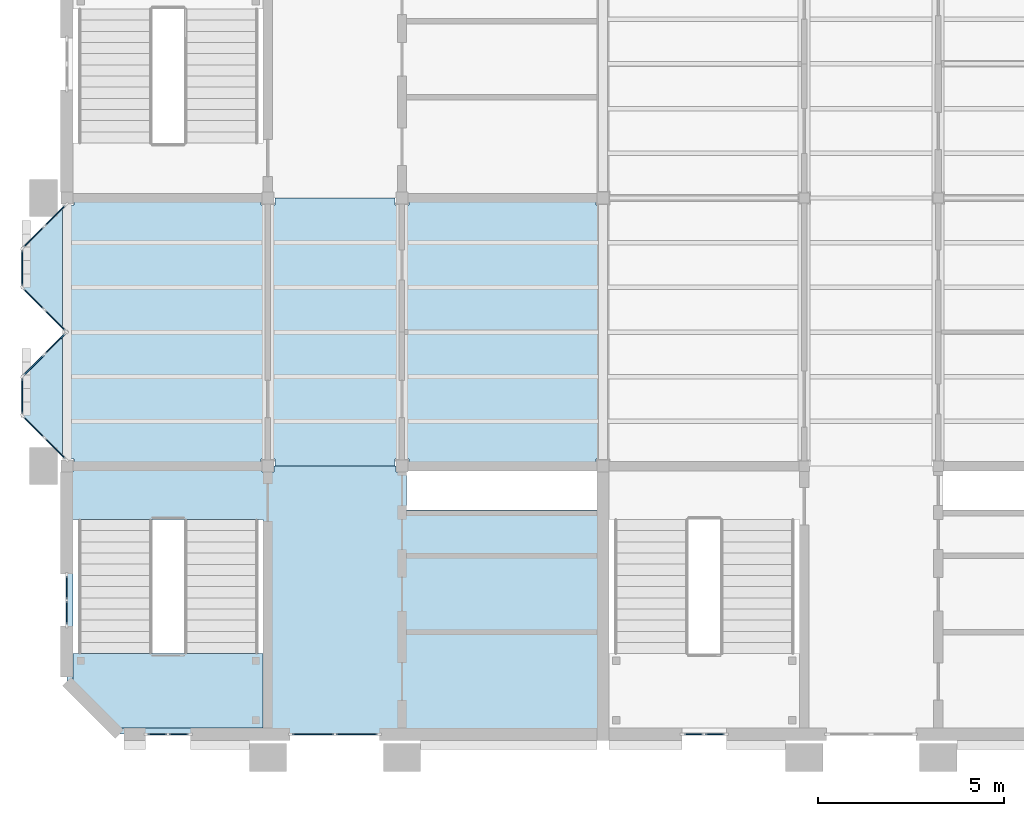
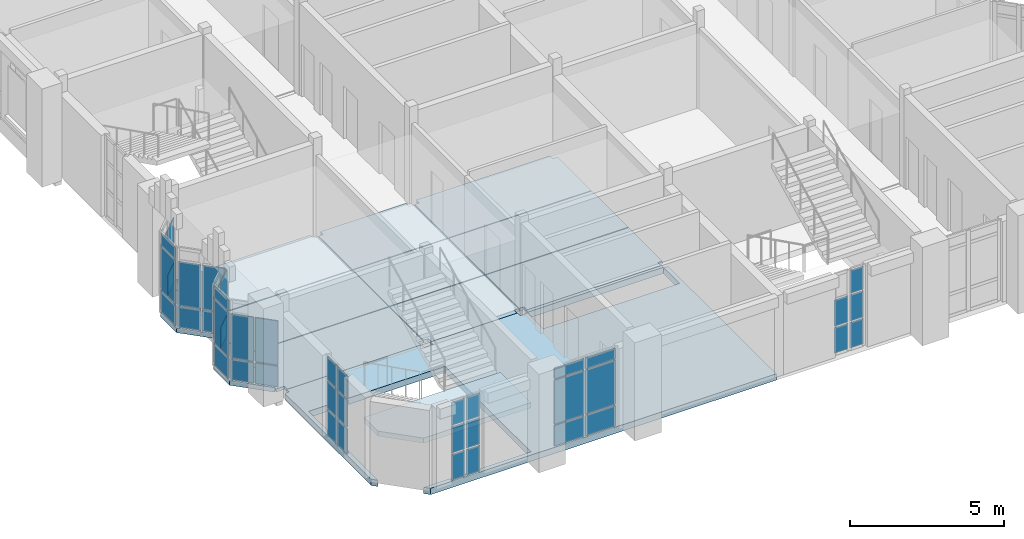
# One storey, part 26 of 71: 45 plates, 13 slabs, 11 elements without a shape of their own.
"""IFC4 building model written with IfcOpenShell, lengths in metres."""

import ifcopenshell
import ifcopenshell.guid

model = None  # the IFC model being written
_history = None  # IfcOwnerHistory: only IFC2X3 demands one
_inside = {}  # id of a spatial element -> (the spatial element, [elements in it])
_under = {}  # id of a project, library or spatial element -> (it, [spatial elements below it])
_declared = {}  # id of a project -> (the project, [libraries it declares])
_typed = {}  # id of a type object -> (the type object, [elements of that type])
_made_of = {}  # id of a material, layer set ... -> (it, [elements and type objects made of it])


def new_model(schema):
    """Start an empty IFC model of exactly this schema.

    Asked for "IFC4X3", IfcOpenShell would pick the latest addendum, in which some entities
    have other attributes; the version numbers below select the first issue.
    IFC2X3 requires an IfcOwnerHistory on every rooted entity: one is made here for all.
    """
    global model, _history
    if schema == "IFC4X3":
        model = ifcopenshell.file(schema_version=(4, 3, 0, 0))
    else:
        model = ifcopenshell.file(schema=schema)
    _inside.clear()
    _under.clear()
    _declared.clear()
    _typed.clear()
    _made_of.clear()
    _history = None
    if model.schema == "IFC2X3":
        org = make("IfcOrganization", Name="unknown")
        user = make(
            "IfcPersonAndOrganization",
            ThePerson=make("IfcPerson", FamilyName="unknown"),
            TheOrganization=org,
        )
        app = make(
            "IfcApplication",
            ApplicationDeveloper=org,
            Version="unknown",
            ApplicationFullName="unknown",
            ApplicationIdentifier="unknown",
        )
        _history = make(
            "IfcOwnerHistory",
            OwningUser=user,
            OwningApplication=app,
            ChangeAction="ADDED",
            CreationDate=0,
        )
    return model


def make(cls, **values):
    """One entity of the class cls with the attributes given. An attribute that is None is left unset."""
    return model.create_entity(
        cls, **{name: value for name, value in values.items() if value is not None}
    )


def rooted(cls, **values):
    """An entity with a GlobalId (a new one), such as an element, a storey or a relation."""
    return make(cls, GlobalId=ifcopenshell.guid.new(), OwnerHistory=_history, **values)


def si_unit(unit_type, name, prefix=None):
    """IfcSIUnit, for example si_unit("LENGTHUNIT", "METRE", prefix="MILLI")."""
    return make("IfcSIUnit", UnitType=unit_type, Prefix=prefix, Name=name)


def assignment(units):
    """IfcUnitAssignment: the units of a project."""
    return None if units is None else make("IfcUnitAssignment", Units=units)


def point(xyz):
    """IfcCartesianPoint."""
    return None if xyz is None else make("IfcCartesianPoint", Coordinates=xyz)


def direction(xyz):
    """IfcDirection."""
    return None if xyz is None else make("IfcDirection", DirectionRatios=xyz)


def frame(location, z_axis=None, x_axis=None):
    """IfcAxis2Placement3D, a coordinate frame: its origin and axes. An axis left out is left unset."""
    return make(
        "IfcAxis2Placement3D",
        Location=point(location),
        Axis=direction(z_axis),
        RefDirection=direction(x_axis),
    )


def frame_2d(location, x_axis=None):
    """IfcAxis2Placement2D, a coordinate frame in the plane: its origin and x axis."""
    return make(
        "IfcAxis2Placement2D", Location=point(location), RefDirection=direction(x_axis)
    )


def origin():
    """The frame at (0, 0, 0) with its axes left unset."""
    return frame((0.0, 0.0, 0.0))


def origin_2d():
    """The frame at (0, 0) in the plane with its x axis left unset."""
    return frame_2d((0.0, 0.0))


def place(relative_to, where):
    """IfcLocalPlacement: puts the frame where relative to a parent placement (None: the world)."""
    return make(
        "IfcLocalPlacement", PlacementRelTo=relative_to, RelativePlacement=where
    )


def context(
    kind, dimensions, precision=None, world=None, true_north=None, identifier=None
):
    """IfcGeometricRepresentationContext, for example the 3D "Model" context."""
    return make(
        "IfcGeometricRepresentationContext",
        ContextIdentifier=identifier,
        ContextType=kind,
        CoordinateSpaceDimension=dimensions,
        Precision=precision,
        WorldCoordinateSystem=world,
        TrueNorth=true_north,
    )


def subcontext(parent, identifier, kind, view, scale=None):
    """IfcGeometricRepresentationSubContext, for example "Body" below "Model"."""
    return make(
        "IfcGeometricRepresentationSubContext",
        ContextIdentifier=identifier,
        ContextType=kind,
        ParentContext=parent,
        TargetScale=scale,
        TargetView=view,
    )


def project(units=None, contexts=None):
    """IfcProject with its units and contexts."""
    return rooted(
        "IfcProject",
        Name="project",
        RepresentationContexts=contexts,
        UnitsInContext=assignment(units),
    )


def spatial(cls, under=None, at=None, **own):
    """A site, building, storey or space (cls), placed at a placement, below another one or the project."""
    s = rooted(cls, ObjectPlacement=at, **own)
    if under is not None:
        _under.setdefault(under.id(), (under, []))[1].append(s)
    return s


def polyline(points):
    """IfcPolyline through the points."""
    return make("IfcPolyline", Points=[point(p) for p in points])


def profile(cls, at=None, kind="AREA", **sizes):
    """A parametric profile (cls). Its sizes go by their IFC names, for example OverallWidth=200.0."""
    return make(cls, ProfileType=kind, Position=at, **sizes)


def rectangle(**sizes):
    """IfcRectangleProfileDef."""
    return profile("IfcRectangleProfileDef", **sizes)


def outline(outer, holes=None, kind="AREA"):
    """IfcArbitraryClosedProfileDef: a profile drawn as a closed curve; with holes, ...WithVoids."""
    if holes is None:
        return make("IfcArbitraryClosedProfileDef", ProfileType=kind, OuterCurve=outer)
    return make(
        "IfcArbitraryProfileDefWithVoids",
        ProfileType=kind,
        OuterCurve=outer,
        InnerCurves=holes,
    )


def extrude(swept, where, along, depth):
    """IfcExtrudedAreaSolid: the profile swept, set in the frame where, extruded along a direction by depth."""
    return make(
        "IfcExtrudedAreaSolid",
        SweptArea=swept,
        Position=where,
        ExtrudedDirection=direction(along),
        Depth=depth,
    )


def shape(context_of_items, identifier, shape_type, items):
    """IfcShapeRepresentation: the items that make up one representation, for example the "Body"."""
    return make(
        "IfcShapeRepresentation",
        ContextOfItems=context_of_items,
        RepresentationIdentifier=identifier,
        RepresentationType=shape_type,
        Items=items,
    )


def material(Name=None, Category=None):
    """IfcMaterial."""
    return make("IfcMaterial", Name=Name, Category=Category)


def layer(
    of_material, thickness, ventilated=None, Name=None, Category=None, Priority=None
):
    """IfcMaterialLayer: one layer of a wall or slab, of a material (None: an air gap)."""
    return make(
        "IfcMaterialLayer",
        Material=of_material,
        LayerThickness=thickness,
        IsVentilated=ventilated,
        Name=Name,
        Category=Category,
        Priority=Priority,
    )


def layer_set(layers, Name=None):
    """IfcMaterialLayerSet."""
    return make("IfcMaterialLayerSet", MaterialLayers=layers, LayerSetName=Name)


def made_of(thing, what):
    """Note that an element or type object is made of a material, layer set ...; save() writes the relation."""
    if what is not None:
        _made_of.setdefault(what.id(), (what, []))[1].append(thing)
    return thing


def type_object(cls, material=None, **own):
    """A type object (cls), such as IfcWallType, which elements share."""
    return made_of(rooted(cls, **own), material)


def element(
    cls,
    number,
    at=None,
    inside=None,
    cuts=None,
    type_object=None,
    material=None,
    context=None,
    identifier="Body",
    shape_type=None,
    held_by="IfcProductDefinitionShape",
    body=None,
    shapes=None,
    **own,
):
    """One element of the class cls, such as IfcWall. Its Tag is "e" and its number.

    at: its placement. inside: the storey or other place that contains it. cuts: it is an
    opening in that element (IfcRelVoidsElement). A single representation is given by context,
    identifier, shape_type and body (its items); several are given by shapes. held_by: the class
    of the entity that holds the representations. save() writes the other relations.
    """
    e = rooted(cls, Tag="e%d" % number, ObjectPlacement=at, **own)
    if body is not None:
        shapes = [shape(context, identifier, shape_type, body)]
    if shapes is not None:
        e.Representation = make(held_by, Representations=shapes)
    if inside is not None:
        _inside.setdefault(inside.id(), (inside, []))[1].append(e)
    if cuts is not None:
        rooted(
            "IfcRelVoidsElement", RelatingBuildingElement=cuts, RelatedOpeningElement=e
        )
    if type_object is not None:
        _typed.setdefault(type_object.id(), (type_object, []))[1].append(e)
    return made_of(e, material)


def aggregate(whole, parts):
    """IfcRelAggregates: a whole, such as a stair, and the parts it consists of."""
    return rooted("IfcRelAggregates", RelatingObject=whole, RelatedObjects=parts)


def save(model, path):
    """Write the relations noted so far, then the file.

    IfcRelAggregates (storeys below a building ...), IfcRelContainedInSpatialStructure (elements
    in a storey), IfcRelDefinesByType, IfcRelAssociatesMaterial and IfcRelDeclares: one each for
    every whole, place, type object, material and project.
    """
    for whole, parts in _under.values():
        aggregate(whole, parts)
    for where, things in _inside.values():
        rooted(
            "IfcRelContainedInSpatialStructure",
            RelatedElements=things,
            RelatingStructure=where,
        )
    for kind, things in _typed.values():
        rooted("IfcRelDefinesByType", RelatedObjects=things, RelatingType=kind)
    for what, things in _made_of.values():
        rooted("IfcRelAssociatesMaterial", RelatedObjects=things, RelatingMaterial=what)
    for by, libraries in _declared.values():
        rooted("IfcRelDeclares", RelatingContext=by, RelatedDefinitions=libraries)
    model.write(path)


model = new_model("IFC4")

# Units and contexts
model_context = context("Model", 3, precision=1e-05, world=origin(), true_north=direction((0.0, 1.0)))
body_context = subcontext(model_context, "Body", "Model", "MODEL_VIEW")
ifc_project = project(units=[si_unit("LENGTHUNIT", "METRE"), si_unit("AREAUNIT", "SQUARE_METRE"), si_unit("VOLUMEUNIT", "CUBIC_METRE"), si_unit("PLANEANGLEUNIT", "RADIAN"), si_unit("MASSUNIT", "GRAM", prefix="KILO")], contexts=[model_context])

# Site, building, storey
site_placement = place(None, origin())
site = spatial("IfcSite", under=ifc_project, at=site_placement, CompositionType="ELEMENT")
building_placement = place(site_placement, origin())
building = spatial("IfcBuilding", under=site, at=building_placement, Name="Mazhai Court Health Centre", CompositionType="ELEMENT")
storey_placement = place(building_placement, frame((0.0, 0.0, 10.199951171875)))
storey = spatial("IfcBuildingStorey", under=building, at=storey_placement, Name="L02", CompositionType="ELEMENT", Elevation=10.199951171875)

# Slabs
ifc_material_1 = material(Name="CLT C24 5-ply", Category="wood")
ifc_layer_1 = layer(ifc_material_1, 0.1201171875)
ifc_layer_set_1 = layer_set([ifc_layer_1], Name="CLT C24 5-ply 120 floor panel")
slab_type_1 = type_object("IfcSlabType", Name="CLT C24 5-ply 120 floor panel", PredefinedType="FLOOR", material=ifc_layer_set_1)
slab_1_placement = place(storey_placement, frame((0.0, 0.0, -0.119873046875)))
element("IfcSlab", 1, at=slab_1_placement, inside=storey, type_object=slab_type_1, Name="slab-V2-L02-b1-A0", PredefinedType="FLOOR", context=body_context, shape_type="SweptSolid", body=[
    extrude(outline(polyline([(6.080078125, 15.7900390625), (6.080078125, 13.590087890625), (6.389892578125, 13.590087890625), (6.389892578125, 13.39990234375), (11.409912109375, 13.39990234375), (11.409912109375, 13.590087890625), (11.590087890625, 13.590087890625), (11.590087890625, 15.7900390625), (6.080078125, 15.7900390625)])), origin(), (0.0, 0.0, 1.0), 0.119873046875),
])
slab_2_placement = place(storey_placement, frame((0.0, 0.0, -0.119873046875)))
element("IfcSlab", 2, at=slab_2_placement, inside=storey, type_object=slab_type_1, Name="slab-V2-L02-b1-A1", PredefinedType="FLOOR", context=body_context, shape_type="SweptSolid", body=[
    extrude(outline(polyline([(6.080078125, 15.81005859375), (11.590087890625, 15.81005859375), (11.590087890625, 18.18994140625), (6.080078125, 18.18994140625), (6.080078125, 15.81005859375)])), origin(), (0.0, 0.0, 1.0), 0.119873046875),
])
slab_3_placement = place(storey_placement, frame((0.0, 0.0, -0.119873046875)))
element("IfcSlab", 3, at=slab_3_placement, inside=storey, type_object=slab_type_1, Name="slab-V2-L02-b1-A2", PredefinedType="FLOOR", context=body_context, shape_type="SweptSolid", body=[
    extrude(outline(polyline([(11.590087890625, 18.2099609375), (11.590087890625, 20.409912109375), (11.409912109375, 20.409912109375), (11.409912109375, 20.60009765625), (6.389892578125, 20.60009765625), (6.389892578125, 20.409912109375), (6.080078125, 20.409912109375), (6.080078125, 18.2099609375), (11.590087890625, 18.2099609375)])), origin(), (0.0, 0.0, 1.0), 0.119873046875),
])
slab_4_placement = place(storey_placement, frame((0.0, 0.0, -0.119873046875)))
element("IfcSlab", 4, at=slab_4_placement, inside=storey, type_object=slab_type_1, Name="slab-V2-L02-b1-C0", PredefinedType="FLOOR", context=body_context, shape_type="SweptSolid", body=[
    extrude(outline(polyline([(11.610107421875, 15.7900390625), (11.610107421875, 13.590087890625), (11.7900390625, 13.590087890625), (11.7900390625, 13.39990234375), (15.010009765625, 13.39990234375), (15.010009765625, 13.590087890625), (15.18994140625, 13.590087890625), (15.18994140625, 15.7900390625), (11.610107421875, 15.7900390625)])), origin(), (0.0, 0.0, 1.0), 0.119873046875),
])
slab_5_placement = place(storey_placement, frame((0.0, 0.0, -0.119873046875)))
element("IfcSlab", 5, at=slab_5_placement, inside=storey, type_object=slab_type_1, Name="slab-V2-L02-b1-C1", PredefinedType="FLOOR", context=body_context, shape_type="SweptSolid", body=[
    extrude(outline(polyline([(11.610107421875, 15.81005859375), (15.18994140625, 15.81005859375), (15.18994140625, 18.18994140625), (11.610107421875, 18.18994140625), (11.610107421875, 15.81005859375)])), origin(), (0.0, 0.0, 1.0), 0.119873046875),
])
slab_6_placement = place(storey_placement, frame((0.0, 0.0, -0.119873046875)))
element("IfcSlab", 6, at=slab_6_placement, inside=storey, type_object=slab_type_1, Name="slab-V2-L02-b1-C2", PredefinedType="FLOOR", context=body_context, shape_type="SweptSolid", body=[
    extrude(outline(polyline([(15.18994140625, 18.2099609375), (15.18994140625, 20.409912109375), (15.010009765625, 20.409912109375), (15.010009765625, 20.60009765625), (11.7900390625, 20.60009765625), (11.7900390625, 20.409912109375), (11.610107421875, 20.409912109375), (11.610107421875, 18.2099609375), (15.18994140625, 18.2099609375)])), origin(), (0.0, 0.0, 1.0), 0.119873046875),
])
slab_7_placement = place(storey_placement, frame((0.0, 0.0, -0.119873046875)))
element("IfcSlab", 7, at=slab_7_placement, inside=storey, type_object=slab_type_1, Name="slab-V2-L02-b1-B0", PredefinedType="FLOOR", context=body_context, shape_type="SweptSolid", body=[
    extrude(outline(polyline([(15.2099609375, 15.7900390625), (15.2099609375, 13.590087890625), (15.389892578125, 13.590087890625), (15.389892578125, 13.39990234375), (20.409912109375, 13.39990234375), (20.409912109375, 13.590087890625), (20.590087890625, 13.590087890625), (20.590087890625, 15.7900390625), (15.2099609375, 15.7900390625)])), origin(), (0.0, 0.0, 1.0), 0.119873046875),
])
slab_8_placement = place(storey_placement, frame((0.0, 0.0, -0.119873046875)))
element("IfcSlab", 8, at=slab_8_placement, inside=storey, type_object=slab_type_1, Name="slab-V2-L02-b1-B1", PredefinedType="FLOOR", context=body_context, shape_type="SweptSolid", body=[
    extrude(outline(polyline([(15.2099609375, 15.81005859375), (20.590087890625, 15.81005859375), (20.590087890625, 18.18994140625), (15.2099609375, 18.18994140625), (15.2099609375, 15.81005859375)])), origin(), (0.0, 0.0, 1.0), 0.119873046875),
])
slab_9_placement = place(storey_placement, frame((0.0, 0.0, -0.119873046875)))
element("IfcSlab", 9, at=slab_9_placement, inside=storey, type_object=slab_type_1, Name="slab-V2-L02-b1-B2", PredefinedType="FLOOR", context=body_context, shape_type="SweptSolid", body=[
    extrude(outline(polyline([(20.590087890625, 18.2099609375), (20.590087890625, 20.409912109375), (20.409912109375, 20.409912109375), (20.409912109375, 20.60009765625), (15.389892578125, 20.60009765625), (15.389892578125, 20.409912109375), (15.2099609375, 20.409912109375), (15.2099609375, 18.2099609375), (20.590087890625, 18.2099609375)])), origin(), (0.0, 0.0, 1.0), 0.119873046875),
])

# Curtain wall, plates
ifc_material_2 = material(Name="Teak timber frame, glazed", Category="wood")
ifc_layer_2 = layer(ifc_material_2, 0.10009765625)
ifc_layer_set_2 = layer_set([ifc_layer_2], Name="CURTAIN WALL TIMBER 600")
curtain_wall_type_1 = type_object("IfcCurtainWallType", Name="CURTAIN WALL TIMBER 600", PredefinedType="NOTDEFINED", material=ifc_layer_set_2)
curtain_wall_1_placement = place(storey_placement, origin())
curtain_wall_1 = element("IfcCurtainWall", 10, at=curtain_wall_1_placement, inside=storey, type_object=curtain_wall_type_1, Name="CW-V2-L02-A0", PredefinedType="NOTDEFINED")
ifc_material_3 = material(Name="Glass IGU 28 mm", Category="glass")
ifc_layer_3 = layer(ifc_material_3, 0.028076171875)
ifc_layer_set_3 = layer_set([ifc_layer_3], Name="CW PANEL IGU 28")
plate_type = type_object("IfcPlateType", Name="CW PANEL IGU 28", PredefinedType="CURTAIN_PANEL", material=ifc_layer_set_3)
plate_1_placement = place(storey_placement, frame((6.199951171875, 9.465087890625, 0.06005859375), z_axis=(0.0, 0.0, 1.0), x_axis=(0.0, 1.0, 0.0)))
plate_1 = element("IfcPlate", 11, at=plate_1_placement, type_object=plate_type, Name="CW panel 1.1", PredefinedType="CURTAIN_PANEL", context=body_context, shape_type="SweptSolid", body=[
    extrude(rectangle(XDim=0.610107421875, YDim=0.028076171875, at=origin_2d()), origin(), (0.0, 0.0, 1.0), 1.010009765625),
])
plate_2_placement = place(storey_placement, frame((6.199951171875, 9.465087890625, 1.130126953125), z_axis=(0.0, 0.0, 1.0), x_axis=(0.0, 1.0, 0.0)))
plate_2 = element("IfcPlate", 12, at=plate_2_placement, type_object=plate_type, Name="CW panel 1.2", PredefinedType="CURTAIN_PANEL", context=body_context, shape_type="SweptSolid", body=[
    extrude(rectangle(XDim=0.610107421875, YDim=0.028076171875, at=origin_2d()), origin(), (0.0, 0.0, 1.0), 1.06005859375),
])
plate_3_placement = place(storey_placement, frame((6.199951171875, 9.465087890625, 2.25), z_axis=(0.0, 0.0, 1.0), x_axis=(0.0, 1.0, 0.0)))
plate_3 = element("IfcPlate", 13, at=plate_3_placement, type_object=plate_type, Name="CW panel 1.3", PredefinedType="CURTAIN_PANEL", context=body_context, shape_type="SweptSolid", body=[
    extrude(rectangle(XDim=0.610107421875, YDim=0.028076171875, at=origin_2d()), origin(), (0.0, 0.0, 1.0), 0.909912109375),
])
plate_4_placement = place(storey_placement, frame((6.199951171875, 10.135009765625, 0.06005859375), z_axis=(0.0, 0.0, 1.0), x_axis=(0.0, 1.0, 0.0)))
plate_4 = element("IfcPlate", 14, at=plate_4_placement, type_object=plate_type, Name="CW panel 2.1", PredefinedType="CURTAIN_PANEL", context=body_context, shape_type="SweptSolid", body=[
    extrude(rectangle(XDim=0.610107421875, YDim=0.028076171875, at=origin_2d()), origin(), (0.0, 0.0, 1.0), 1.010009765625),
])
plate_5_placement = place(storey_placement, frame((6.199951171875, 10.135009765625, 1.130126953125), z_axis=(0.0, 0.0, 1.0), x_axis=(0.0, 1.0, 0.0)))
plate_5 = element("IfcPlate", 15, at=plate_5_placement, type_object=plate_type, Name="CW panel 2.2", PredefinedType="CURTAIN_PANEL", context=body_context, shape_type="SweptSolid", body=[
    extrude(rectangle(XDim=0.610107421875, YDim=0.028076171875, at=origin_2d()), origin(), (0.0, 0.0, 1.0), 1.06005859375),
])
plate_6_placement = place(storey_placement, frame((6.199951171875, 10.135009765625, 2.25), z_axis=(0.0, 0.0, 1.0), x_axis=(0.0, 1.0, 0.0)))
plate_6 = element("IfcPlate", 16, at=plate_6_placement, type_object=plate_type, Name="CW panel 2.3", PredefinedType="CURTAIN_PANEL", context=body_context, shape_type="SweptSolid", body=[
    extrude(rectangle(XDim=0.610107421875, YDim=0.028076171875, at=origin_2d()), origin(), (0.0, 0.0, 1.0), 0.909912109375),
])
aggregate(curtain_wall_1, [plate_1, plate_2, plate_3, plate_4, plate_5, plate_6])

ifc_material_4 = material(Name="Teak timber frame, glazed", Category="wood")
ifc_layer_4 = layer(ifc_material_4, 0.10009765625)
ifc_layer_set_4 = layer_set([ifc_layer_4], Name="CURTAIN WALL TIMBER 900")
curtain_wall_type_2 = type_object("IfcCurtainWallType", Name="CURTAIN WALL TIMBER 900", PredefinedType="NOTDEFINED", material=ifc_layer_set_4)
curtain_wall_2_placement = place(storey_placement, origin())
curtain_wall_2 = element("IfcCurtainWall", 17, at=curtain_wall_2_placement, inside=storey, type_object=curtain_wall_type_2, Name="CW-ORIEL-V2-L02-A10-0", PredefinedType="NOTDEFINED")
plate_7_placement = place(storey_placement, frame((5.889404296875, 13.87060546875, 0.06005859375), z_axis=(0.0, 0.0, 1.0), x_axis=(-0.707106781187, 0.707106781187, 0.0)))
plate_7 = element("IfcPlate", 18, at=plate_7_placement, type_object=plate_type, Name="CW panel 1.1", PredefinedType="CURTAIN_PANEL", context=body_context, shape_type="SweptSolid", body=[
    extrude(rectangle(XDim=0.758544921875, YDim=0.028076171875, at=origin_2d()), origin(), (0.0, 0.0, 1.0), 0.81005859375),
])
plate_8_placement = place(storey_placement, frame((5.889404296875, 13.87060546875, 0.93017578125), z_axis=(0.0, 0.0, 1.0), x_axis=(-0.707106781187, 0.707106781187, 0.0)))
plate_8 = element("IfcPlate", 19, at=plate_8_placement, type_object=plate_type, Name="CW panel 1.2", PredefinedType="CURTAIN_PANEL", context=body_context, shape_type="SweptSolid", body=[
    extrude(rectangle(XDim=0.758544921875, YDim=0.028076171875, at=origin_2d()), origin(), (0.0, 0.0, 1.0), 1.739990234375),
])
plate_9_placement = place(storey_placement, frame((5.310546875, 14.449462890625, 0.06005859375), z_axis=(0.0, 0.0, 1.0), x_axis=(-0.707106781187, 0.707106781187, 0.0)))
plate_9 = element("IfcPlate", 20, at=plate_9_placement, type_object=plate_type, Name="CW panel 2.1", PredefinedType="CURTAIN_PANEL", context=body_context, shape_type="SweptSolid", body=[
    extrude(rectangle(XDim=0.758544921875, YDim=0.028076171875, at=origin_2d()), origin(), (0.0, 0.0, 1.0), 0.81005859375),
])
plate_10_placement = place(storey_placement, frame((5.310546875, 14.449462890625, 0.93017578125), z_axis=(0.0, 0.0, 1.0), x_axis=(-0.707106781187, 0.707106781187, 0.0)))
plate_10 = element("IfcPlate", 21, at=plate_10_placement, type_object=plate_type, Name="CW panel 2.2", PredefinedType="CURTAIN_PANEL", context=body_context, shape_type="SweptSolid", body=[
    extrude(rectangle(XDim=0.758544921875, YDim=0.028076171875, at=origin_2d()), origin(), (0.0, 0.0, 1.0), 1.739990234375),
])
aggregate(curtain_wall_2, [plate_7, plate_8, plate_9, plate_10])

curtain_wall_3_placement = place(storey_placement, origin())
curtain_wall_3 = element("IfcCurtainWall", 22, at=curtain_wall_3_placement, inside=storey, type_object=curtain_wall_type_2, Name="CW-ORIEL-V2-L02-A10-1", PredefinedType="NOTDEFINED")
plate_11_placement = place(storey_placement, frame((5.0, 15.280029296875, 0.06005859375), z_axis=(0.0, 0.0, 1.0), x_axis=(0.0, 1.0, 0.0)))
plate_11 = element("IfcPlate", 23, at=plate_11_placement, type_object=plate_type, Name="CW panel 1.1", PredefinedType="CURTAIN_PANEL", context=body_context, shape_type="SweptSolid", body=[
    extrude(rectangle(XDim=0.919921875, YDim=0.028076171875, at=origin_2d()), origin(), (0.0, 0.0, 1.0), 0.81005859375),
])
plate_12_placement = place(storey_placement, frame((5.0, 15.280029296875, 0.93017578125), z_axis=(0.0, 0.0, 1.0), x_axis=(0.0, 1.0, 0.0)))
plate_12 = element("IfcPlate", 24, at=plate_12_placement, type_object=plate_type, Name="CW panel 1.2", PredefinedType="CURTAIN_PANEL", context=body_context, shape_type="SweptSolid", body=[
    extrude(rectangle(XDim=0.919921875, YDim=0.028076171875, at=origin_2d()), origin(), (0.0, 0.0, 1.0), 1.739990234375),
])
plate_13_placement = place(storey_placement, frame((5.0, 15.280029296875, 2.72998046875), z_axis=(0.0, 0.0, 1.0), x_axis=(0.0, 1.0, 0.0)))
plate_13 = element("IfcPlate", 25, at=plate_13_placement, type_object=plate_type, Name="CW panel 1.3", PredefinedType="CURTAIN_PANEL", context=body_context, shape_type="SweptSolid", body=[
    extrude(rectangle(XDim=0.919921875, YDim=0.028076171875, at=origin_2d()), origin(), (0.0, 0.0, 1.0), 0.429931640625),
])
aggregate(curtain_wall_3, [plate_11, plate_12, plate_13])

curtain_wall_4_placement = place(storey_placement, origin())
curtain_wall_4 = element("IfcCurtainWall", 26, at=curtain_wall_4_placement, inside=storey, type_object=curtain_wall_type_2, Name="CW-ORIEL-V2-L02-A10-2", PredefinedType="NOTDEFINED")
plate_14_placement = place(storey_placement, frame((5.310546875, 16.110595703125, 0.06005859375), z_axis=(0.0, 0.0, 1.0), x_axis=(0.707106781187, 0.707106781187, 0.0)))
plate_14 = element("IfcPlate", 27, at=plate_14_placement, type_object=plate_type, Name="CW panel 1.1", PredefinedType="CURTAIN_PANEL", context=body_context, shape_type="SweptSolid", body=[
    extrude(rectangle(XDim=0.758544921875, YDim=0.028076171875, at=origin_2d()), origin(), (0.0, 0.0, 1.0), 0.81005859375),
])
plate_15_placement = place(storey_placement, frame((5.310546875, 16.110595703125, 0.93017578125), z_axis=(0.0, 0.0, 1.0), x_axis=(0.707106781187, 0.707106781187, 0.0)))
plate_15 = element("IfcPlate", 28, at=plate_15_placement, type_object=plate_type, Name="CW panel 1.2", PredefinedType="CURTAIN_PANEL", context=body_context, shape_type="SweptSolid", body=[
    extrude(rectangle(XDim=0.758544921875, YDim=0.028076171875, at=origin_2d()), origin(), (0.0, 0.0, 1.0), 1.739990234375),
])
plate_16_placement = place(storey_placement, frame((5.889404296875, 16.689453125, 0.06005859375), z_axis=(0.0, 0.0, 1.0), x_axis=(0.707106781187, 0.707106781187, 0.0)))
plate_16 = element("IfcPlate", 29, at=plate_16_placement, type_object=plate_type, Name="CW panel 2.1", PredefinedType="CURTAIN_PANEL", context=body_context, shape_type="SweptSolid", body=[
    extrude(rectangle(XDim=0.758544921875, YDim=0.028076171875, at=origin_2d()), origin(), (0.0, 0.0, 1.0), 0.81005859375),
])
plate_17_placement = place(storey_placement, frame((5.889404296875, 16.689453125, 0.93017578125), z_axis=(0.0, 0.0, 1.0), x_axis=(0.707106781187, 0.707106781187, 0.0)))
plate_17 = element("IfcPlate", 30, at=plate_17_placement, type_object=plate_type, Name="CW panel 2.2", PredefinedType="CURTAIN_PANEL", context=body_context, shape_type="SweptSolid", body=[
    extrude(rectangle(XDim=0.758544921875, YDim=0.028076171875, at=origin_2d()), origin(), (0.0, 0.0, 1.0), 1.739990234375),
])
aggregate(curtain_wall_4, [plate_14, plate_15, plate_16, plate_17])

curtain_wall_5_placement = place(storey_placement, origin())
curtain_wall_5 = element("IfcCurtainWall", 31, at=curtain_wall_5_placement, inside=storey, type_object=curtain_wall_type_2, Name="CW-ORIEL-V2-L02-A11-0", PredefinedType="NOTDEFINED")
plate_18_placement = place(storey_placement, frame((5.889404296875, 17.310546875, 0.06005859375), z_axis=(0.0, 0.0, 1.0), x_axis=(-0.707106781187, 0.707106781187, 0.0)))
plate_18 = element("IfcPlate", 32, at=plate_18_placement, type_object=plate_type, Name="CW panel 1.1", PredefinedType="CURTAIN_PANEL", context=body_context, shape_type="SweptSolid", body=[
    extrude(rectangle(XDim=0.758544921875, YDim=0.028076171875, at=origin_2d()), origin(), (0.0, 0.0, 1.0), 0.81005859375),
])
plate_19_placement = place(storey_placement, frame((5.889404296875, 17.310546875, 0.93017578125), z_axis=(0.0, 0.0, 1.0), x_axis=(-0.707106781187, 0.707106781187, 0.0)))
plate_19 = element("IfcPlate", 33, at=plate_19_placement, type_object=plate_type, Name="CW panel 1.2", PredefinedType="CURTAIN_PANEL", context=body_context, shape_type="SweptSolid", body=[
    extrude(rectangle(XDim=0.758544921875, YDim=0.028076171875, at=origin_2d()), origin(), (0.0, 0.0, 1.0), 1.739990234375),
])
plate_20_placement = place(storey_placement, frame((5.310546875, 17.889404296875, 0.06005859375), z_axis=(0.0, 0.0, 1.0), x_axis=(-0.707106781187, 0.707106781187, 0.0)))
plate_20 = element("IfcPlate", 34, at=plate_20_placement, type_object=plate_type, Name="CW panel 2.1", PredefinedType="CURTAIN_PANEL", context=body_context, shape_type="SweptSolid", body=[
    extrude(rectangle(XDim=0.758544921875, YDim=0.028076171875, at=origin_2d()), origin(), (0.0, 0.0, 1.0), 0.81005859375),
])
plate_21_placement = place(storey_placement, frame((5.310546875, 17.889404296875, 0.93017578125), z_axis=(0.0, 0.0, 1.0), x_axis=(-0.707106781187, 0.707106781187, 0.0)))
plate_21 = element("IfcPlate", 35, at=plate_21_placement, type_object=plate_type, Name="CW panel 2.2", PredefinedType="CURTAIN_PANEL", context=body_context, shape_type="SweptSolid", body=[
    extrude(rectangle(XDim=0.758544921875, YDim=0.028076171875, at=origin_2d()), origin(), (0.0, 0.0, 1.0), 1.739990234375),
])
aggregate(curtain_wall_5, [plate_18, plate_19, plate_20, plate_21])

curtain_wall_6_placement = place(storey_placement, origin())
curtain_wall_6 = element("IfcCurtainWall", 36, at=curtain_wall_6_placement, inside=storey, type_object=curtain_wall_type_2, Name="CW-ORIEL-V2-L02-A11-1", PredefinedType="NOTDEFINED")
plate_22_placement = place(storey_placement, frame((5.0, 18.719970703125, 0.06005859375), z_axis=(0.0, 0.0, 1.0), x_axis=(0.0, 1.0, 0.0)))
plate_22 = element("IfcPlate", 37, at=plate_22_placement, type_object=plate_type, Name="CW panel 1.1", PredefinedType="CURTAIN_PANEL", context=body_context, shape_type="SweptSolid", body=[
    extrude(rectangle(XDim=0.919921875, YDim=0.028076171875, at=origin_2d()), origin(), (0.0, 0.0, 1.0), 0.81005859375),
])
plate_23_placement = place(storey_placement, frame((5.0, 18.719970703125, 0.93017578125), z_axis=(0.0, 0.0, 1.0), x_axis=(0.0, 1.0, 0.0)))
plate_23 = element("IfcPlate", 38, at=plate_23_placement, type_object=plate_type, Name="CW panel 1.2", PredefinedType="CURTAIN_PANEL", context=body_context, shape_type="SweptSolid", body=[
    extrude(rectangle(XDim=0.919921875, YDim=0.028076171875, at=origin_2d()), origin(), (0.0, 0.0, 1.0), 1.739990234375),
])
plate_24_placement = place(storey_placement, frame((5.0, 18.719970703125, 2.72998046875), z_axis=(0.0, 0.0, 1.0), x_axis=(0.0, 1.0, 0.0)))
plate_24 = element("IfcPlate", 39, at=plate_24_placement, type_object=plate_type, Name="CW panel 1.3", PredefinedType="CURTAIN_PANEL", context=body_context, shape_type="SweptSolid", body=[
    extrude(rectangle(XDim=0.919921875, YDim=0.028076171875, at=origin_2d()), origin(), (0.0, 0.0, 1.0), 0.429931640625),
])
aggregate(curtain_wall_6, [plate_22, plate_23, plate_24])

curtain_wall_7_placement = place(storey_placement, origin())
curtain_wall_7 = element("IfcCurtainWall", 40, at=curtain_wall_7_placement, inside=storey, type_object=curtain_wall_type_2, Name="CW-ORIEL-V2-L02-A11-2", PredefinedType="NOTDEFINED")
plate_25_placement = place(storey_placement, frame((5.310546875, 19.550537109375, 0.06005859375), z_axis=(0.0, 0.0, 1.0), x_axis=(0.707106781187, 0.707106781187, 0.0)))
plate_25 = element("IfcPlate", 41, at=plate_25_placement, type_object=plate_type, Name="CW panel 1.1", PredefinedType="CURTAIN_PANEL", context=body_context, shape_type="SweptSolid", body=[
    extrude(rectangle(XDim=0.758544921875, YDim=0.028076171875, at=origin_2d()), origin(), (0.0, 0.0, 1.0), 0.81005859375),
])
plate_26_placement = place(storey_placement, frame((5.310546875, 19.550537109375, 0.93017578125), z_axis=(0.0, 0.0, 1.0), x_axis=(0.707106781187, 0.707106781187, 0.0)))
plate_26 = element("IfcPlate", 42, at=plate_26_placement, type_object=plate_type, Name="CW panel 1.2", PredefinedType="CURTAIN_PANEL", context=body_context, shape_type="SweptSolid", body=[
    extrude(rectangle(XDim=0.758544921875, YDim=0.028076171875, at=origin_2d()), origin(), (0.0, 0.0, 1.0), 1.739990234375),
])
plate_27_placement = place(storey_placement, frame((5.889404296875, 20.12939453125, 0.06005859375), z_axis=(0.0, 0.0, 1.0), x_axis=(0.707106781187, 0.707106781187, 0.0)))
plate_27 = element("IfcPlate", 43, at=plate_27_placement, type_object=plate_type, Name="CW panel 2.1", PredefinedType="CURTAIN_PANEL", context=body_context, shape_type="SweptSolid", body=[
    extrude(rectangle(XDim=0.758544921875, YDim=0.028076171875, at=origin_2d()), origin(), (0.0, 0.0, 1.0), 0.81005859375),
])
plate_28_placement = place(storey_placement, frame((5.889404296875, 20.12939453125, 0.93017578125), z_axis=(0.0, 0.0, 1.0), x_axis=(0.707106781187, 0.707106781187, 0.0)))
plate_28 = element("IfcPlate", 44, at=plate_28_placement, type_object=plate_type, Name="CW panel 2.2", PredefinedType="CURTAIN_PANEL", context=body_context, shape_type="SweptSolid", body=[
    extrude(rectangle(XDim=0.758544921875, YDim=0.028076171875, at=origin_2d()), origin(), (0.0, 0.0, 1.0), 1.739990234375),
])
aggregate(curtain_wall_7, [plate_25, plate_26, plate_27, plate_28])

curtain_wall_8_placement = place(storey_placement, origin())
curtain_wall_8 = element("IfcCurtainWall", 45, at=curtain_wall_8_placement, inside=storey, type_object=curtain_wall_type_1, Name="CW-V2-L02-SSTAIR0", PredefinedType="NOTDEFINED")
plate_29_placement = place(storey_placement, frame((9.205078125, 6.199951171875, 0.06005859375), z_axis=(0.0, 0.0, 1.0), x_axis=(-1.0, 0.0, 0.0)))
plate_29 = element("IfcPlate", 46, at=plate_29_placement, type_object=plate_type, Name="CW panel 1.1", PredefinedType="CURTAIN_PANEL", context=body_context, shape_type="SweptSolid", body=[
    extrude(rectangle(XDim=0.510009765625, YDim=0.028076171875, at=origin_2d()), origin(), (0.0, 0.0, 1.0), 1.010009765625),
])
plate_30_placement = place(storey_placement, frame((9.205078125, 6.199951171875, 1.130126953125), z_axis=(0.0, 0.0, 1.0), x_axis=(-1.0, 0.0, 0.0)))
plate_30 = element("IfcPlate", 47, at=plate_30_placement, type_object=plate_type, Name="CW panel 1.2", PredefinedType="CURTAIN_PANEL", context=body_context, shape_type="SweptSolid", body=[
    extrude(rectangle(XDim=0.510009765625, YDim=0.028076171875, at=origin_2d()), origin(), (0.0, 0.0, 1.0), 1.0400390625),
])
plate_31_placement = place(storey_placement, frame((9.205078125, 6.199951171875, 2.22998046875), z_axis=(0.0, 0.0, 1.0), x_axis=(-1.0, 0.0, 0.0)))
plate_31 = element("IfcPlate", 48, at=plate_31_placement, type_object=plate_type, Name="CW panel 1.3", PredefinedType="CURTAIN_PANEL", context=body_context, shape_type="SweptSolid", body=[
    extrude(rectangle(XDim=0.510009765625, YDim=0.028076171875, at=origin_2d()), origin(), (0.0, 0.0, 1.0), 0.909912109375),
])
plate_32_placement = place(storey_placement, frame((8.635009765625, 6.199951171875, 0.06005859375), z_axis=(0.0, 0.0, 1.0), x_axis=(-1.0, 0.0, 0.0)))
plate_32 = element("IfcPlate", 49, at=plate_32_placement, type_object=plate_type, Name="CW panel 2.1", PredefinedType="CURTAIN_PANEL", context=body_context, shape_type="SweptSolid", body=[
    extrude(rectangle(XDim=0.510009765625, YDim=0.028076171875, at=origin_2d()), origin(), (0.0, 0.0, 1.0), 1.010009765625),
])
plate_33_placement = place(storey_placement, frame((8.635009765625, 6.199951171875, 1.130126953125), z_axis=(0.0, 0.0, 1.0), x_axis=(-1.0, 0.0, 0.0)))
plate_33 = element("IfcPlate", 50, at=plate_33_placement, type_object=plate_type, Name="CW panel 2.2", PredefinedType="CURTAIN_PANEL", context=body_context, shape_type="SweptSolid", body=[
    extrude(rectangle(XDim=0.510009765625, YDim=0.028076171875, at=origin_2d()), origin(), (0.0, 0.0, 1.0), 1.0400390625),
])
plate_34_placement = place(storey_placement, frame((8.635009765625, 6.199951171875, 2.22998046875), z_axis=(0.0, 0.0, 1.0), x_axis=(-1.0, 0.0, 0.0)))
plate_34 = element("IfcPlate", 51, at=plate_34_placement, type_object=plate_type, Name="CW panel 2.3", PredefinedType="CURTAIN_PANEL", context=body_context, shape_type="SweptSolid", body=[
    extrude(rectangle(XDim=0.510009765625, YDim=0.028076171875, at=origin_2d()), origin(), (0.0, 0.0, 1.0), 0.909912109375),
])
aggregate(curtain_wall_8, [plate_29, plate_30, plate_31, plate_32, plate_33, plate_34])

ifc_material_5 = material(Name="Teak timber frame, glazed", Category="wood")
ifc_layer_5 = layer(ifc_material_5, 0.10009765625)
ifc_layer_set_5 = layer_set([ifc_layer_5], Name="CURTAIN WALL TIMBER 1200")
curtain_wall_type_3 = type_object("IfcCurtainWallType", Name="CURTAIN WALL TIMBER 1200", PredefinedType="NOTDEFINED", material=ifc_layer_set_5)
curtain_wall_9_placement = place(storey_placement, origin())
curtain_wall_9 = element("IfcCurtainWall", 52, at=curtain_wall_9_placement, inside=storey, type_object=curtain_wall_type_3, Name="CW-V2-L02-SEND1", PredefinedType="NOTDEFINED")
plate_35_placement = place(storey_placement, frame((13.985107421875, 6.199951171875, 0.06005859375), z_axis=(0.0, 0.0, 1.0), x_axis=(-1.0, 0.0, 0.0)))
plate_35 = element("IfcPlate", 53, at=plate_35_placement, type_object=plate_type, Name="CW panel 1.1", PredefinedType="CURTAIN_PANEL", context=body_context, shape_type="SweptSolid", body=[
    extrude(rectangle(XDim=1.110107421875, YDim=0.028076171875, at=origin_2d()), origin(), (0.0, 0.0, 1.0), 0.81005859375),
])
plate_36_placement = place(storey_placement, frame((13.985107421875, 6.199951171875, 0.93017578125), z_axis=(0.0, 0.0, 1.0), x_axis=(-1.0, 0.0, 0.0)))
plate_36 = element("IfcPlate", 54, at=plate_36_placement, type_object=plate_type, Name="CW panel 1.2", PredefinedType="CURTAIN_PANEL", context=body_context, shape_type="SweptSolid", body=[
    extrude(rectangle(XDim=1.110107421875, YDim=0.028076171875, at=origin_2d()), origin(), (0.0, 0.0, 1.0), 1.739990234375),
])
plate_37_placement = place(storey_placement, frame((13.985107421875, 6.199951171875, 2.72998046875), z_axis=(0.0, 0.0, 1.0), x_axis=(-1.0, 0.0, 0.0)))
plate_37 = element("IfcPlate", 55, at=plate_37_placement, type_object=plate_type, Name="CW panel 1.3", PredefinedType="CURTAIN_PANEL", context=body_context, shape_type="SweptSolid", body=[
    extrude(rectangle(XDim=1.110107421875, YDim=0.028076171875, at=origin_2d()), origin(), (0.0, 0.0, 1.0), 0.409912109375),
])
plate_38_placement = place(storey_placement, frame((12.81494140625, 6.199951171875, 0.06005859375), z_axis=(0.0, 0.0, 1.0), x_axis=(-1.0, 0.0, 0.0)))
plate_38 = element("IfcPlate", 56, at=plate_38_placement, type_object=plate_type, Name="CW panel 2.1", PredefinedType="CURTAIN_PANEL", context=body_context, shape_type="SweptSolid", body=[
    extrude(rectangle(XDim=1.110107421875, YDim=0.028076171875, at=origin_2d()), origin(), (0.0, 0.0, 1.0), 0.81005859375),
])
plate_39_placement = place(storey_placement, frame((12.81494140625, 6.199951171875, 0.93017578125), z_axis=(0.0, 0.0, 1.0), x_axis=(-1.0, 0.0, 0.0)))
plate_39 = element("IfcPlate", 57, at=plate_39_placement, type_object=plate_type, Name="CW panel 2.2", PredefinedType="CURTAIN_PANEL", context=body_context, shape_type="SweptSolid", body=[
    extrude(rectangle(XDim=1.110107421875, YDim=0.028076171875, at=origin_2d()), origin(), (0.0, 0.0, 1.0), 1.739990234375),
])
plate_40_placement = place(storey_placement, frame((12.81494140625, 6.199951171875, 2.72998046875), z_axis=(0.0, 0.0, 1.0), x_axis=(-1.0, 0.0, 0.0)))
plate_40 = element("IfcPlate", 58, at=plate_40_placement, type_object=plate_type, Name="CW panel 2.3", PredefinedType="CURTAIN_PANEL", context=body_context, shape_type="SweptSolid", body=[
    extrude(rectangle(XDim=1.110107421875, YDim=0.028076171875, at=origin_2d()), origin(), (0.0, 0.0, 1.0), 0.409912109375),
])
aggregate(curtain_wall_9, [plate_35, plate_36, plate_37, plate_38, plate_39, plate_40])

curtain_wall_10_placement = place(storey_placement, origin())
curtain_wall_10 = element("IfcCurtainWall", 59, at=curtain_wall_10_placement, inside=storey, type_object=curtain_wall_type_1, Name="CW-V5-L02-SSTAIR0", PredefinedType="NOTDEFINED")
plate_41_placement = place(storey_placement, frame((23.60498046875, 6.199951171875, 0.06005859375), z_axis=(0.0, 0.0, 1.0), x_axis=(-1.0, 0.0, 0.0)))
plate_41 = element("IfcPlate", 60, at=plate_41_placement, type_object=plate_type, Name="CW panel 1.1", PredefinedType="CURTAIN_PANEL", context=body_context, shape_type="SweptSolid", body=[
    extrude(rectangle(XDim=0.510009765625, YDim=0.028076171875, at=origin_2d()), origin(), (0.0, 0.0, 1.0), 1.010009765625),
])
plate_42_placement = place(storey_placement, frame((23.60498046875, 6.199951171875, 1.130126953125), z_axis=(0.0, 0.0, 1.0), x_axis=(-1.0, 0.0, 0.0)))
plate_42 = element("IfcPlate", 61, at=plate_42_placement, type_object=plate_type, Name="CW panel 1.2", PredefinedType="CURTAIN_PANEL", context=body_context, shape_type="SweptSolid", body=[
    extrude(rectangle(XDim=0.510009765625, YDim=0.028076171875, at=origin_2d()), origin(), (0.0, 0.0, 1.0), 1.0400390625),
])
plate_43_placement = place(storey_placement, frame((23.60498046875, 6.199951171875, 2.22998046875), z_axis=(0.0, 0.0, 1.0), x_axis=(-1.0, 0.0, 0.0)))
plate_43 = element("IfcPlate", 62, at=plate_43_placement, type_object=plate_type, Name="CW panel 1.3", PredefinedType="CURTAIN_PANEL", context=body_context, shape_type="SweptSolid", body=[
    extrude(rectangle(XDim=0.510009765625, YDim=0.028076171875, at=origin_2d()), origin(), (0.0, 0.0, 1.0), 0.909912109375),
])
plate_44_placement = place(storey_placement, frame((23.034912109375, 6.199951171875, 0.06005859375), z_axis=(0.0, 0.0, 1.0), x_axis=(-1.0, 0.0, 0.0)))
plate_44 = element("IfcPlate", 63, at=plate_44_placement, type_object=plate_type, Name="CW panel 2.1", PredefinedType="CURTAIN_PANEL", context=body_context, shape_type="SweptSolid", body=[
    extrude(rectangle(XDim=0.510009765625, YDim=0.028076171875, at=origin_2d()), origin(), (0.0, 0.0, 1.0), 1.010009765625),
])
plate_45_placement = place(storey_placement, frame((23.034912109375, 6.199951171875, 1.130126953125), z_axis=(0.0, 0.0, 1.0), x_axis=(-1.0, 0.0, 0.0)))
plate_45 = element("IfcPlate", 64, at=plate_45_placement, type_object=plate_type, Name="CW panel 2.2", PredefinedType="CURTAIN_PANEL", context=body_context, shape_type="SweptSolid", body=[
    extrude(rectangle(XDim=0.510009765625, YDim=0.028076171875, at=origin_2d()), origin(), (0.0, 0.0, 1.0), 1.0400390625),
])
aggregate(curtain_wall_10, [plate_41, plate_42, plate_43, plate_44, plate_45])

# Slabs
ifc_material_6 = material(Name="CLT C24 5-ply", Category="wood")
ifc_layer_6 = layer(ifc_material_6, 0.179931640625)
ifc_layer_set_6 = layer_set([ifc_layer_6], Name="ORIEL FLOOR 180")
slab_type_2 = type_object("IfcSlabType", Name="ORIEL FLOOR 180", PredefinedType="FLOOR", material=ifc_layer_set_6)
slab_10_placement = place(storey_placement, frame((0.0, 0.0, -0.179931640625)))
element("IfcSlab", 65, at=slab_10_placement, inside=storey, type_object=slab_type_2, Name="OF-V2-L02-A10", PredefinedType="FLOOR", context=body_context, shape_type="SweptSolid", body=[
    extrude(outline(polyline([(6.080078125, 13.679931640625), (5.0, 14.760009765625), (5.0, 15.800048828125), (6.080078125, 16.8798828125), (6.080078125, 13.679931640625)])), origin(), (0.0, 0.0, 1.0), 0.179931640625),
])
slab_11_placement = place(storey_placement, frame((0.0, 0.0, -0.179931640625)))
element("IfcSlab", 66, at=slab_11_placement, inside=storey, type_object=slab_type_2, Name="OF-V2-L02-A11", PredefinedType="FLOOR", context=body_context, shape_type="SweptSolid", body=[
    extrude(outline(polyline([(6.080078125, 17.1201171875), (5.0, 18.199951171875), (5.0, 19.239990234375), (6.080078125, 20.320068359375), (6.080078125, 17.1201171875)])), origin(), (0.0, 0.0, 1.0), 0.179931640625),
])
ifc_material_7 = material(Name="Concrete M40", Category="concrete")
ifc_layer_7 = layer(ifc_material_7, 0.25)
ifc_layer_set_7 = layer_set([ifc_layer_7], Name="RC CORE FLOOR 250 M40")
slab_type_3 = type_object("IfcSlabType", Name="RC CORE FLOOR 250 M40", PredefinedType="FLOOR", material=ifc_layer_set_7)
slab_12_placement = place(storey_placement, frame((0.0, 0.0, -0.25)))
element("IfcSlab", 67, at=slab_12_placement, inside=storey, type_object=slab_type_3, Name="core-C1-floor-L02", PredefinedType="FLOOR", context=body_context, shape_type="SweptSolid", body=[
    extrude(outline(polyline([(6.360107421875, 13.39990234375), (11.43994140625, 13.39990234375), (11.43994140625, 13.239990234375), (11.760009765625, 13.239990234375), (11.760009765625, 13.39990234375), (15.0400390625, 13.39990234375), (15.0400390625, 13.239990234375), (15.324951171875, 13.239990234375), (15.324951171875, 12.215087890625), (20.43505859375, 12.215087890625), (20.43505859375, 13.27490234375), (15.360107421875, 13.27490234375), (15.360107421875, 13.39990234375), (20.43994140625, 13.39990234375), (20.43994140625, 13.239990234375), (20.60009765625, 13.239990234375), (20.60009765625, 6.199951171875), (7.6142578125, 6.199951171875), (7.44921875, 6.364990234375), (11.47509765625, 6.364990234375), (11.47509765625, 11.96337890625), (6.364990234375, 11.96337890625), (6.364990234375, 7.44921875), (6.199951171875, 7.6142578125), (6.199951171875, 13.239990234375), (6.360107421875, 13.239990234375), (6.360107421875, 13.39990234375)])), origin(), (0.0, 0.0, 1.0), 0.25),
])

# Stair, slab
ifc_material_8 = material(Name="Concrete M40", Category="concrete")
stair_type = type_object("IfcStairType", Name="RC STAIR 2000 26R", PredefinedType="DOUBLE_RETURN_STAIR", material=ifc_material_8)
stair_placement = place(storey_placement, origin())
stair = element("IfcStair", 68, at=stair_placement, inside=storey, type_object=stair_type, Name="L02 Stair 1", PredefinedType="HALF_TURN_STAIR")
ifc_material_9 = material(Name="Concrete M40", Category="concrete")
ifc_layer_8 = layer(ifc_material_9, 0.199951171875)
ifc_layer_set_8 = layer_set([ifc_layer_8], Name="RC STAIR LANDING 200 M40")
slab_type_4 = type_object("IfcSlabType", Name="RC STAIR LANDING 200 M40", PredefinedType="LANDING", material=ifc_layer_set_8)
slab_13_placement = place(storey_placement, frame((0.0, 0.0, 1.75)))
slab_13 = element("IfcSlab", 69, at=slab_13_placement, type_object=slab_type_4, Name="ST1 landing 1", PredefinedType="LANDING", context=body_context, shape_type="SweptSolid", body=[
    extrude(outline(polyline([(6.364990234375, 8.364990234375), (11.47509765625, 8.364990234375), (11.47509765625, 6.364990234375), (7.44921875, 6.364990234375), (6.364990234375, 7.44921875), (6.364990234375, 8.364990234375)])), origin(), (0.0, 0.0, 1.0), 0.199951171875),
])
aggregate(stair, [slab_13])

save(model, "model.ifc")
